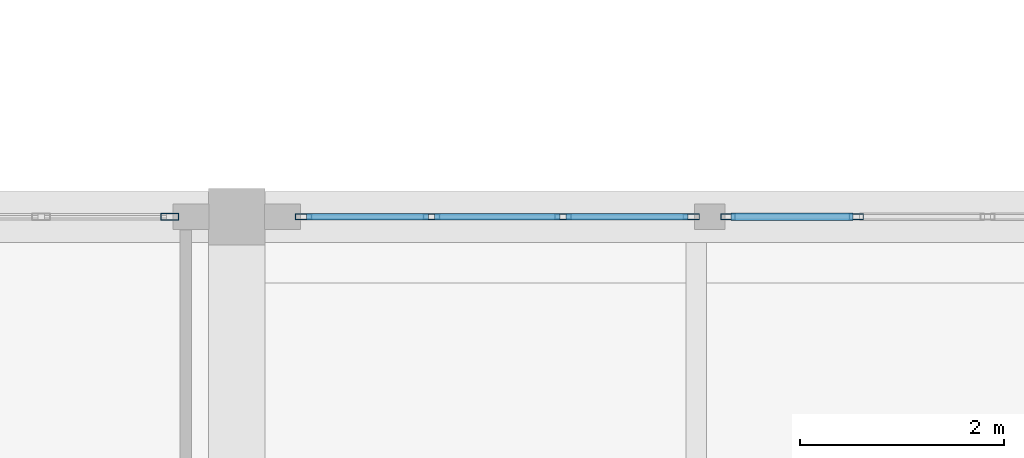
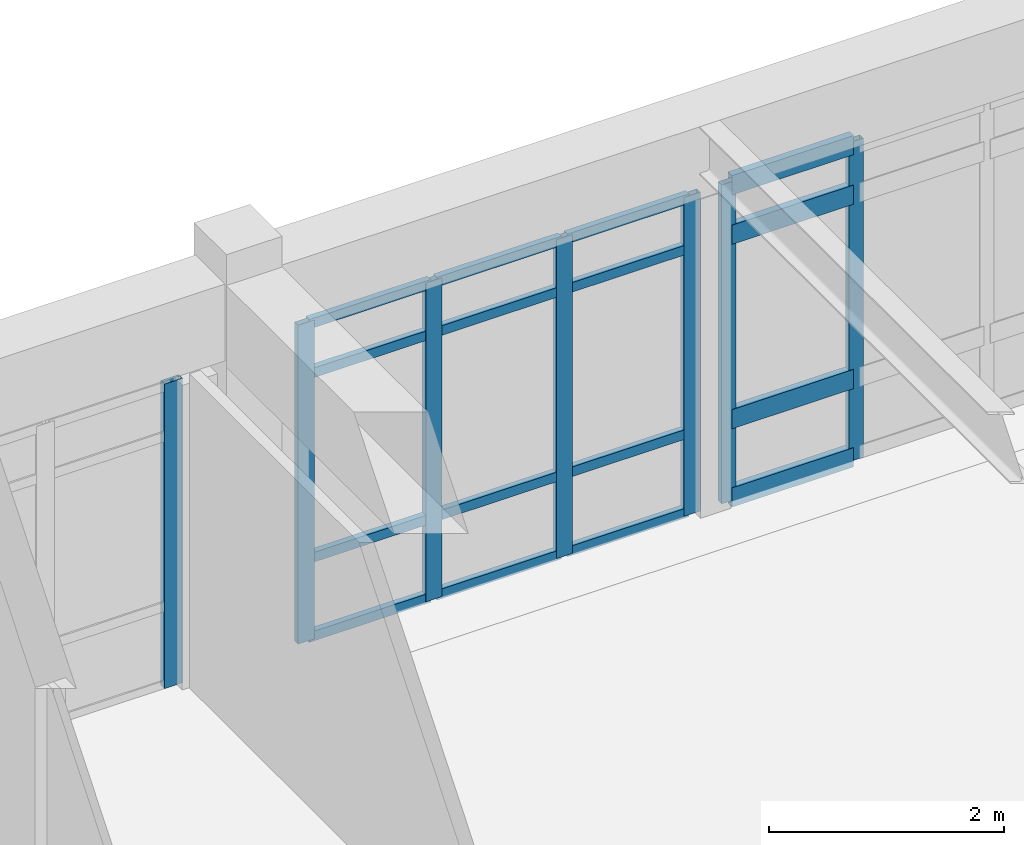
# One storey, part 8 of 109: 23 members, 3 elements without a shape of their own.
"""IFC4 building model written with IfcOpenShell, lengths in metres."""

from ifc_helpers import new_model, si_unit, direction, frame, origin, origin_2d, place, context, subcontext, project, spatial, hollow_rectangle, extrude, material, layer, layer_set, material_profile, profile_set, type_object, element, aggregate, save


model = new_model("IFC4")

# Units and contexts
model_context = context("Model", 3, precision=1e-05, world=origin(), true_north=direction((0.0, 1.0)))
body_context = subcontext(model_context, "Body", "Model", "MODEL_VIEW")
ifc_project = project(units=[si_unit("LENGTHUNIT", "METRE"), si_unit("AREAUNIT", "SQUARE_METRE"), si_unit("VOLUMEUNIT", "CUBIC_METRE"), si_unit("PLANEANGLEUNIT", "RADIAN"), si_unit("MASSUNIT", "GRAM", prefix="KILO")], contexts=[model_context])

# Site, building, storey
site_placement = place(None, origin())
site = spatial("IfcSite", under=ifc_project, at=site_placement, CompositionType="ELEMENT")
building_placement = place(site_placement, origin())
building = spatial("IfcBuilding", under=site, at=building_placement, Name="Fikremerkos Civic Library", CompositionType="ELEMENT")
storey_placement = place(building_placement, frame((0.0, 0.0, 5.39990234375)))
storey = spatial("IfcBuildingStorey", under=building, at=storey_placement, Name="L01", CompositionType="ELEMENT", Elevation=5.39990234375)

# Curtain wall, member
ifc_material = material(Name="Anodized aluminium Frame", Category="aluminium")
ifc_layer_1 = layer(ifc_material, 0.159912109375, Name="Anodized aluminium Frame")
ifc_layer_set_1 = layer_set([ifc_layer_1], Name="Anodized aluminium Frame")
curtain_wall_type_1 = type_object("IfcCurtainWallType", Name="Unitised curtain wall CW-05 3800x4100", PredefinedType="USERDEFINED", material=ifc_layer_set_1)
curtain_wall_1_placement = place(storey_placement, origin())
curtain_wall_1 = element("IfcCurtainWall", 1, at=curtain_wall_1_placement, inside=storey, type_object=curtain_wall_type_1, Name="Unitised curtain wall CW-05 L01 #77", ObjectType="UNITISED CURTAIN WALL", PredefinedType="USERDEFINED")
ifc_material_profile_1 = material_profile(ifc_material, hollow_rectangle(XDim=0.06494140625, YDim=0.179931640625, WallThickness=0.00439453125, at=origin_2d()), Name="ALU 180x65x4.5")
ifc_profile_set_1 = profile_set([ifc_material_profile_1], Name="Anodized aluminium Frame")
member_type_1 = type_object("IfcMemberType", Name="Curtain mullion CWM-01 ALU 180x65x4.5", PredefinedType="MULLION", material=ifc_profile_set_1)
member_1_placement = place(storey_placement, frame((32.04443359375, 31.199951171875, 0.0), z_axis=(0.0, 0.0, 1.0), x_axis=(0.0, 1.0, 0.0)))
member_1 = element("IfcMember", 2, at=member_1_placement, type_object=member_type_1, Name="CW-05 mullion 4", PredefinedType="MULLION", context=body_context, shape_type="SweptSolid", body=[
    extrude(hollow_rectangle(XDim=0.06494140625, YDim=0.179931640625, WallThickness=0.00439453125, at=origin_2d()), origin(), (0.0, 0.0, 1.0), 3.170166015625),
])
aggregate(curtain_wall_1, [member_1])

# Curtain wall, members
ifc_layer_2 = layer(ifc_material, 0.159912109375, Name="Anodized aluminium Frame")
ifc_layer_set_2 = layer_set([ifc_layer_2], Name="Anodized aluminium Frame")
curtain_wall_type_2 = type_object("IfcCurtainWallType", Name="Unitised curtain wall CW-06 4200x4100", PredefinedType="USERDEFINED", material=ifc_layer_set_2)
curtain_wall_2_placement = place(storey_placement, origin())
curtain_wall_2 = element("IfcCurtainWall", 3, at=curtain_wall_2_placement, inside=storey, type_object=curtain_wall_type_2, Name="Unitised curtain wall CW-06 L01 #78", ObjectType="UNITISED CURTAIN WALL", PredefinedType="USERDEFINED")
ifc_material_profile_2 = material_profile(ifc_material, hollow_rectangle(XDim=0.06005859375, YDim=0.159912109375, WallThickness=0.00390625, at=origin_2d()), Name="ALU 160x60x4")
ifc_profile_set_2 = profile_set([ifc_material_profile_2], Name="Anodized aluminium Frame")
member_type_2 = type_object("IfcMemberType", Name="Curtain mullion CWM-02 ALU 160x60x4", PredefinedType="MULLION", material=ifc_profile_set_2)
member_2_placement = place(storey_placement, frame((33.35302734375, 31.199951171875, 0.0), z_axis=(0.0, 0.0, 1.0), x_axis=(0.0, 1.0, 0.0)))
member_2 = element("IfcMember", 4, at=member_2_placement, type_object=member_type_2, Name="CW-06 mullion 1", PredefinedType="MULLION", context=body_context, shape_type="SweptSolid", body=[
    extrude(hollow_rectangle(XDim=0.06005859375, YDim=0.159912109375, WallThickness=0.00390625, at=origin_2d()), origin(), (0.0, 0.0, 1.0), 3.320068359375),
])
member_3_placement = place(storey_placement, frame((34.609619140625, 31.199951171875, 0.0), z_axis=(0.0, 0.0, 1.0), x_axis=(0.0, 1.0, 0.0)))
member_3 = element("IfcMember", 5, at=member_3_placement, type_object=member_type_2, Name="CW-06 mullion 2", PredefinedType="MULLION", context=body_context, shape_type="SweptSolid", body=[
    extrude(hollow_rectangle(XDim=0.06005859375, YDim=0.159912109375, WallThickness=0.00390625, at=origin_2d()), origin(), (0.0, 0.0, 1.0), 3.320068359375),
])
member_4_placement = place(storey_placement, frame((35.89599609375, 31.199951171875, 0.0), z_axis=(0.0, 0.0, 1.0), x_axis=(0.0, 1.0, 0.0)))
member_4 = element("IfcMember", 6, at=member_4_placement, type_object=member_type_2, Name="CW-06 mullion 3", PredefinedType="MULLION", context=body_context, shape_type="SweptSolid", body=[
    extrude(hollow_rectangle(XDim=0.06005859375, YDim=0.159912109375, WallThickness=0.00390625, at=origin_2d()), origin(), (0.0, 0.0, 1.0), 3.320068359375),
])
member_5_placement = place(storey_placement, frame((37.152587890625, 31.199951171875, 0.0), z_axis=(0.0, 0.0, 1.0), x_axis=(0.0, 1.0, 0.0)))
member_5 = element("IfcMember", 7, at=member_5_placement, type_object=member_type_2, Name="CW-06 mullion 4", PredefinedType="MULLION", context=body_context, shape_type="SweptSolid", body=[
    extrude(hollow_rectangle(XDim=0.06005859375, YDim=0.159912109375, WallThickness=0.00390625, at=origin_2d()), origin(), (0.0, 0.0, 1.0), 3.320068359375),
])

ifc_layer_3 = layer(ifc_material, 0.159912109375, Name="Anodized aluminium Frame")
ifc_layer_set_3 = layer_set([ifc_layer_3], Name="Anodized aluminium Frame")
curtain_wall_type_3 = type_object("IfcCurtainWallType", Name="Unitised curtain wall CW-07 3500x4100", PredefinedType="USERDEFINED", material=ifc_layer_set_3)
curtain_wall_3_placement = place(storey_placement, origin())
curtain_wall_3 = element("IfcCurtainWall", 8, at=curtain_wall_3_placement, inside=storey, type_object=curtain_wall_type_3, Name="Unitised curtain wall CW-07 L01 #79", ObjectType="UNITISED CURTAIN WALL", PredefinedType="USERDEFINED")
ifc_material_profile_3 = material_profile(ifc_material, hollow_rectangle(XDim=0.06005859375, YDim=0.139892578125, WallThickness=0.00390625, at=origin_2d()), Name="ALU 140x60x4")
ifc_profile_set_3 = profile_set([ifc_material_profile_3], Name="Anodized aluminium Frame")
member_type_3 = type_object("IfcMemberType", Name="Curtain mullion CWM-03 ALU 140x60x4", PredefinedType="MULLION", material=ifc_profile_set_3)
member_6_placement = place(storey_placement, frame((37.5126953125, 31.199951171875, 0.0), z_axis=(0.0, 0.0, 1.0), x_axis=(0.0, 1.0, 0.0)))
member_6 = element("IfcMember", 9, at=member_6_placement, type_object=member_type_3, Name="CW-07 mullion 1", PredefinedType="MULLION", context=body_context, shape_type="SweptSolid", body=[
    extrude(hollow_rectangle(XDim=0.06005859375, YDim=0.139892578125, WallThickness=0.00390625, at=origin_2d()), origin(), (0.0, 0.0, 1.0), 3.320068359375),
])
member_7_placement = place(storey_placement, frame((38.769287109375, 31.199951171875, 0.0), z_axis=(0.0, 0.0, 1.0), x_axis=(0.0, 1.0, 0.0)))
member_7 = element("IfcMember", 10, at=member_7_placement, type_object=member_type_3, Name="CW-07 mullion 2", PredefinedType="MULLION", context=body_context, shape_type="SweptSolid", body=[
    extrude(hollow_rectangle(XDim=0.06005859375, YDim=0.139892578125, WallThickness=0.00390625, at=origin_2d()), origin(), (0.0, 0.0, 1.0), 3.320068359375),
])

# Member
ifc_material_profile_4 = material_profile(ifc_material, hollow_rectangle(XDim=0.06005859375, YDim=0.10009765625, WallThickness=0.00390625, at=origin_2d()), Name="ALU 100x60x4")
ifc_profile_set_4 = profile_set([ifc_material_profile_4], Name="Anodized aluminium Frame")
member_type_4 = type_object("IfcMemberType", Name="Curtain transom CWT-03 ALU 100x60x4", PredefinedType="USERDEFINED", material=ifc_profile_set_4)
member_8_placement = place(storey_placement, frame((33.383056640625, 31.199951171875, 0.030029296875), z_axis=(1.0, 0.0, 0.0), x_axis=(0.0, 1.0, 0.0)))
member_8 = element("IfcMember", 11, at=member_8_placement, type_object=member_type_4, Name="CW-06 transom 1.1", ObjectType="TRANSOM", PredefinedType="USERDEFINED", context=body_context, shape_type="SweptSolid", body=[
    extrude(hollow_rectangle(XDim=0.06005859375, YDim=0.10009765625, WallThickness=0.00390625, at=origin_2d()), origin(), (0.0, 0.0, 1.0), 1.196533203125),
])

member_9_placement = place(storey_placement, frame((33.383056640625, 31.199951171875, 0.85009765625), z_axis=(1.0, 0.0, 0.0), x_axis=(0.0, 1.0, 0.0)))
member_9 = element("IfcMember", 12, at=member_9_placement, type_object=member_type_4, Name="CW-06 transom 1.2", ObjectType="TRANSOM", PredefinedType="USERDEFINED", context=body_context, shape_type="SweptSolid", body=[
    extrude(hollow_rectangle(XDim=0.06005859375, YDim=0.10009765625, WallThickness=0.00390625, at=origin_2d()), origin(), (0.0, 0.0, 1.0), 1.196533203125),
])

member_10_placement = place(storey_placement, frame((33.383056640625, 31.199951171875, 2.77001953125), z_axis=(1.0, 0.0, 0.0), x_axis=(0.0, 1.0, 0.0)))
member_10 = element("IfcMember", 13, at=member_10_placement, type_object=member_type_4, Name="CW-06 transom 1.3", ObjectType="TRANSOM", PredefinedType="USERDEFINED", context=body_context, shape_type="SweptSolid", body=[
    extrude(hollow_rectangle(XDim=0.06005859375, YDim=0.10009765625, WallThickness=0.00390625, at=origin_2d()), origin(), (0.0, 0.0, 1.0), 1.196533203125),
])

member_11_placement = place(storey_placement, frame((33.383056640625, 31.199951171875, 3.2900390625), z_axis=(1.0, 0.0, 0.0), x_axis=(0.0, 1.0, 0.0)))
member_11 = element("IfcMember", 14, at=member_11_placement, type_object=member_type_4, Name="CW-06 transom 1.4", ObjectType="TRANSOM", PredefinedType="USERDEFINED", context=body_context, shape_type="SweptSolid", body=[
    extrude(hollow_rectangle(XDim=0.06005859375, YDim=0.10009765625, WallThickness=0.00390625, at=origin_2d()), origin(), (0.0, 0.0, 1.0), 1.196533203125),
])

member_12_placement = place(storey_placement, frame((34.6396484375, 31.199951171875, 0.030029296875), z_axis=(1.0, 0.0, 0.0), x_axis=(0.0, 1.0, 0.0)))
member_12 = element("IfcMember", 15, at=member_12_placement, type_object=member_type_4, Name="CW-06 transom 2.1", ObjectType="TRANSOM", PredefinedType="USERDEFINED", context=body_context, shape_type="SweptSolid", body=[
    extrude(hollow_rectangle(XDim=0.06005859375, YDim=0.10009765625, WallThickness=0.00390625, at=origin_2d()), origin(), (0.0, 0.0, 1.0), 1.2265625),
])

member_13_placement = place(storey_placement, frame((34.6396484375, 31.199951171875, 0.85009765625), z_axis=(1.0, 0.0, 0.0), x_axis=(0.0, 1.0, 0.0)))
member_13 = element("IfcMember", 16, at=member_13_placement, type_object=member_type_4, Name="CW-06 transom 2.2", ObjectType="TRANSOM", PredefinedType="USERDEFINED", context=body_context, shape_type="SweptSolid", body=[
    extrude(hollow_rectangle(XDim=0.06005859375, YDim=0.10009765625, WallThickness=0.00390625, at=origin_2d()), origin(), (0.0, 0.0, 1.0), 1.2265625),
])

member_14_placement = place(storey_placement, frame((34.6396484375, 31.199951171875, 2.77001953125), z_axis=(1.0, 0.0, 0.0), x_axis=(0.0, 1.0, 0.0)))
member_14 = element("IfcMember", 17, at=member_14_placement, type_object=member_type_4, Name="CW-06 transom 2.3", ObjectType="TRANSOM", PredefinedType="USERDEFINED", context=body_context, shape_type="SweptSolid", body=[
    extrude(hollow_rectangle(XDim=0.06005859375, YDim=0.10009765625, WallThickness=0.00390625, at=origin_2d()), origin(), (0.0, 0.0, 1.0), 1.2265625),
])

member_15_placement = place(storey_placement, frame((34.6396484375, 31.199951171875, 3.2900390625), z_axis=(1.0, 0.0, 0.0), x_axis=(0.0, 1.0, 0.0)))
member_15 = element("IfcMember", 18, at=member_15_placement, type_object=member_type_4, Name="CW-06 transom 2.4", ObjectType="TRANSOM", PredefinedType="USERDEFINED", context=body_context, shape_type="SweptSolid", body=[
    extrude(hollow_rectangle(XDim=0.06005859375, YDim=0.10009765625, WallThickness=0.00390625, at=origin_2d()), origin(), (0.0, 0.0, 1.0), 1.2265625),
])

member_16_placement = place(storey_placement, frame((35.926025390625, 31.199951171875, 0.030029296875), z_axis=(1.0, 0.0, 0.0), x_axis=(0.0, 1.0, 0.0)))
member_16 = element("IfcMember", 19, at=member_16_placement, type_object=member_type_4, Name="CW-06 transom 3.1", ObjectType="TRANSOM", PredefinedType="USERDEFINED", context=body_context, shape_type="SweptSolid", body=[
    extrude(hollow_rectangle(XDim=0.06005859375, YDim=0.10009765625, WallThickness=0.00390625, at=origin_2d()), origin(), (0.0, 0.0, 1.0), 1.196533203125),
])

member_17_placement = place(storey_placement, frame((35.926025390625, 31.199951171875, 0.85009765625), z_axis=(1.0, 0.0, 0.0), x_axis=(0.0, 1.0, 0.0)))
member_17 = element("IfcMember", 20, at=member_17_placement, type_object=member_type_4, Name="CW-06 transom 3.2", ObjectType="TRANSOM", PredefinedType="USERDEFINED", context=body_context, shape_type="SweptSolid", body=[
    extrude(hollow_rectangle(XDim=0.06005859375, YDim=0.10009765625, WallThickness=0.00390625, at=origin_2d()), origin(), (0.0, 0.0, 1.0), 1.196533203125),
])

member_18_placement = place(storey_placement, frame((35.926025390625, 31.199951171875, 2.77001953125), z_axis=(1.0, 0.0, 0.0), x_axis=(0.0, 1.0, 0.0)))
member_18 = element("IfcMember", 21, at=member_18_placement, type_object=member_type_4, Name="CW-06 transom 3.3", ObjectType="TRANSOM", PredefinedType="USERDEFINED", context=body_context, shape_type="SweptSolid", body=[
    extrude(hollow_rectangle(XDim=0.06005859375, YDim=0.10009765625, WallThickness=0.00390625, at=origin_2d()), origin(), (0.0, 0.0, 1.0), 1.196533203125),
])

member_19_placement = place(storey_placement, frame((35.926025390625, 31.199951171875, 3.2900390625), z_axis=(1.0, 0.0, 0.0), x_axis=(0.0, 1.0, 0.0)))
member_19 = element("IfcMember", 22, at=member_19_placement, type_object=member_type_4, Name="CW-06 transom 3.4", ObjectType="TRANSOM", PredefinedType="USERDEFINED", context=body_context, shape_type="SweptSolid", body=[
    extrude(hollow_rectangle(XDim=0.06005859375, YDim=0.10009765625, WallThickness=0.00390625, at=origin_2d()), origin(), (0.0, 0.0, 1.0), 1.196533203125),
])

aggregate(curtain_wall_2, [member_2, member_3, member_4, member_5, member_8, member_9, member_10, member_11, member_12, member_13, member_14, member_15, member_16, member_17, member_18, member_19])

ifc_material_profile_5 = material_profile(ifc_material, hollow_rectangle(XDim=0.070068359375, YDim=0.199951171875, WallThickness=0.0048828125, at=origin_2d()), Name="ALU 200x70x5")
ifc_profile_set_5 = profile_set([ifc_material_profile_5], Name="Anodized aluminium Frame")
member_type_5 = type_object("IfcMemberType", Name="Curtain transom CWT-04 ALU 200x70x5", PredefinedType="USERDEFINED", material=ifc_profile_set_5)
member_20_placement = place(storey_placement, frame((37.542724609375, 31.199951171875, 0.03515625), z_axis=(1.0, 0.0, 0.0), x_axis=(0.0, 1.0, 0.0)))
member_20 = element("IfcMember", 23, at=member_20_placement, type_object=member_type_5, Name="CW-07 transom 1.1", ObjectType="TRANSOM", PredefinedType="USERDEFINED", context=body_context, shape_type="SweptSolid", body=[
    extrude(hollow_rectangle(XDim=0.070068359375, YDim=0.199951171875, WallThickness=0.0048828125, at=origin_2d()), origin(), (0.0, 0.0, 1.0), 1.196533203125),
])

member_21_placement = place(storey_placement, frame((37.542724609375, 31.199951171875, 0.85009765625), z_axis=(1.0, 0.0, 0.0), x_axis=(0.0, 1.0, 0.0)))
member_21 = element("IfcMember", 24, at=member_21_placement, type_object=member_type_5, Name="CW-07 transom 1.2", ObjectType="TRANSOM", PredefinedType="USERDEFINED", context=body_context, shape_type="SweptSolid", body=[
    extrude(hollow_rectangle(XDim=0.070068359375, YDim=0.199951171875, WallThickness=0.0048828125, at=origin_2d()), origin(), (0.0, 0.0, 1.0), 1.196533203125),
])

member_22_placement = place(storey_placement, frame((37.542724609375, 31.199951171875, 2.77001953125), z_axis=(1.0, 0.0, 0.0), x_axis=(0.0, 1.0, 0.0)))
member_22 = element("IfcMember", 25, at=member_22_placement, type_object=member_type_5, Name="CW-07 transom 1.3", ObjectType="TRANSOM", PredefinedType="USERDEFINED", context=body_context, shape_type="SweptSolid", body=[
    extrude(hollow_rectangle(XDim=0.070068359375, YDim=0.199951171875, WallThickness=0.0048828125, at=origin_2d()), origin(), (0.0, 0.0, 1.0), 1.196533203125),
])

member_23_placement = place(storey_placement, frame((37.542724609375, 31.199951171875, 3.28515625), z_axis=(1.0, 0.0, 0.0), x_axis=(0.0, 1.0, 0.0)))
member_23 = element("IfcMember", 26, at=member_23_placement, type_object=member_type_5, Name="CW-07 transom 1.4", ObjectType="TRANSOM", PredefinedType="USERDEFINED", context=body_context, shape_type="SweptSolid", body=[
    extrude(hollow_rectangle(XDim=0.070068359375, YDim=0.199951171875, WallThickness=0.0048828125, at=origin_2d()), origin(), (0.0, 0.0, 1.0), 1.196533203125),
])

aggregate(curtain_wall_3, [member_6, member_7, member_20, member_21, member_22, member_23])

save(model, "model.ifc")
